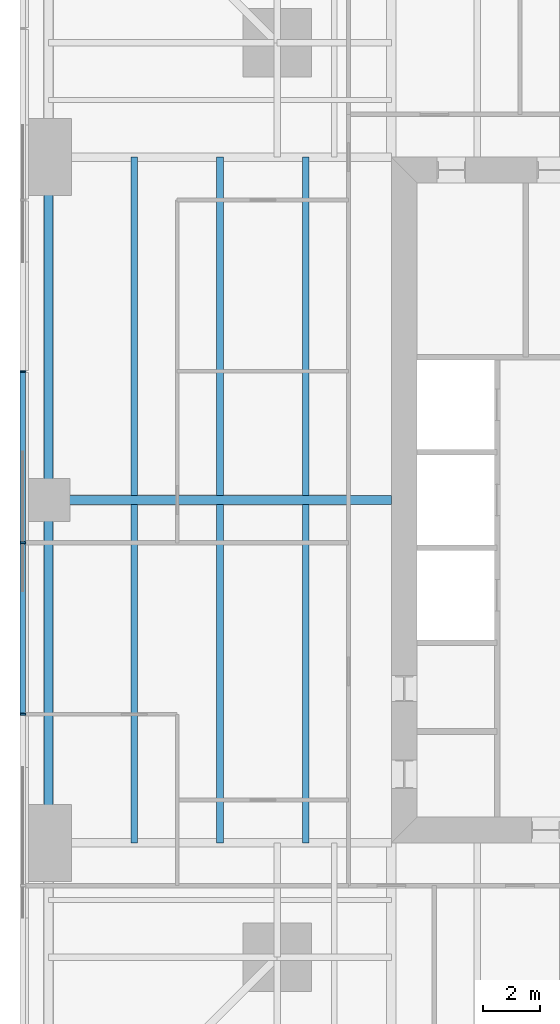
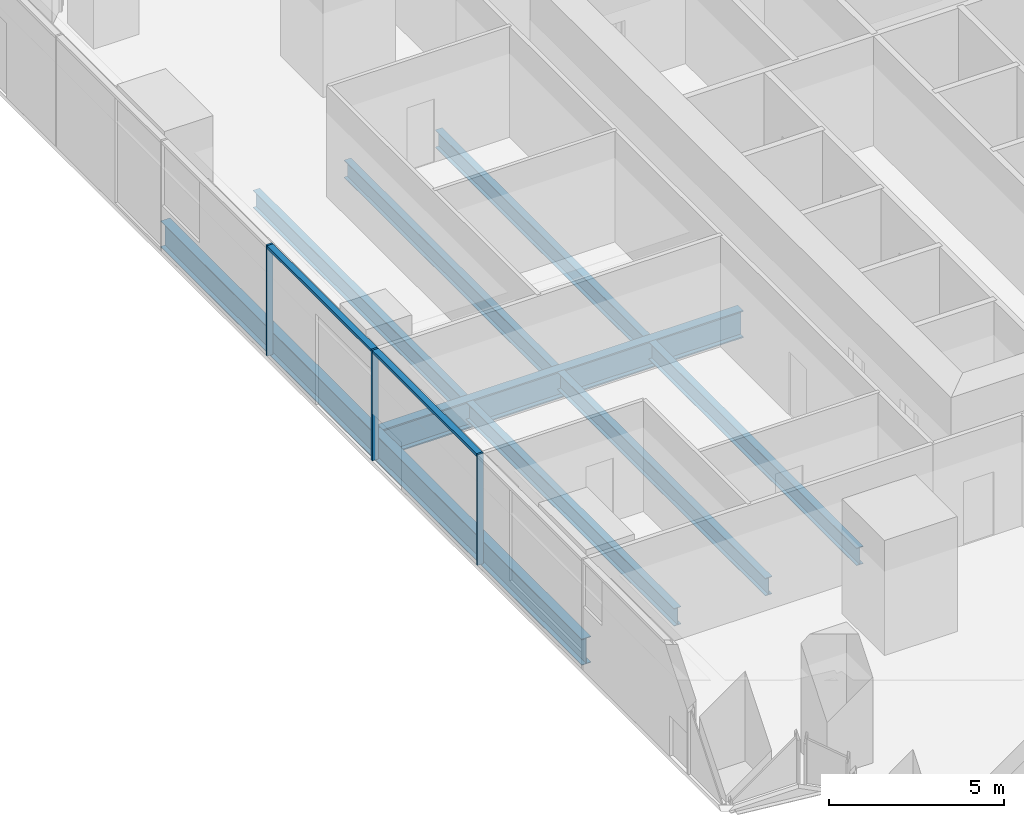
# One storey, part 4 of 14: 9 beams, 5 members, 1 element without a shape of its own.
"""IFC4 building model written with IfcOpenShell, lengths in metres."""

import ifcopenshell
import ifcopenshell.guid

model = None  # the IFC model being written
_history = None  # IfcOwnerHistory: only IFC2X3 demands one
_inside = {}  # id of a spatial element -> (the spatial element, [elements in it])
_under = {}  # id of a project, library or spatial element -> (it, [spatial elements below it])
_declared = {}  # id of a project -> (the project, [libraries it declares])
_typed = {}  # id of a type object -> (the type object, [elements of that type])
_made_of = {}  # id of a material, layer set ... -> (it, [elements and type objects made of it])


def new_model(schema):
    """Start an empty IFC model of exactly this schema.

    Asked for "IFC4X3", IfcOpenShell would pick the latest addendum, in which some entities
    have other attributes; the version numbers below select the first issue.
    IFC2X3 requires an IfcOwnerHistory on every rooted entity: one is made here for all.
    """
    global model, _history
    if schema == "IFC4X3":
        model = ifcopenshell.file(schema_version=(4, 3, 0, 0))
    else:
        model = ifcopenshell.file(schema=schema)
    _inside.clear()
    _under.clear()
    _declared.clear()
    _typed.clear()
    _made_of.clear()
    _history = None
    if model.schema == "IFC2X3":
        org = make("IfcOrganization", Name="unknown")
        user = make(
            "IfcPersonAndOrganization",
            ThePerson=make("IfcPerson", FamilyName="unknown"),
            TheOrganization=org,
        )
        app = make(
            "IfcApplication",
            ApplicationDeveloper=org,
            Version="unknown",
            ApplicationFullName="unknown",
            ApplicationIdentifier="unknown",
        )
        _history = make(
            "IfcOwnerHistory",
            OwningUser=user,
            OwningApplication=app,
            ChangeAction="ADDED",
            CreationDate=0,
        )
    return model


def make(cls, **values):
    """One entity of the class cls with the attributes given. An attribute that is None is left unset."""
    return model.create_entity(
        cls, **{name: value for name, value in values.items() if value is not None}
    )


def rooted(cls, **values):
    """An entity with a GlobalId (a new one), such as an element, a storey or a relation."""
    return make(cls, GlobalId=ifcopenshell.guid.new(), OwnerHistory=_history, **values)


def si_unit(unit_type, name, prefix=None):
    """IfcSIUnit, for example si_unit("LENGTHUNIT", "METRE", prefix="MILLI")."""
    return make("IfcSIUnit", UnitType=unit_type, Prefix=prefix, Name=name)


def assignment(units):
    """IfcUnitAssignment: the units of a project."""
    return None if units is None else make("IfcUnitAssignment", Units=units)


def point(xyz):
    """IfcCartesianPoint."""
    return None if xyz is None else make("IfcCartesianPoint", Coordinates=xyz)


def direction(xyz):
    """IfcDirection."""
    return None if xyz is None else make("IfcDirection", DirectionRatios=xyz)


def frame(location, z_axis=None, x_axis=None):
    """IfcAxis2Placement3D, a coordinate frame: its origin and axes. An axis left out is left unset."""
    return make(
        "IfcAxis2Placement3D",
        Location=point(location),
        Axis=direction(z_axis),
        RefDirection=direction(x_axis),
    )


def frame_2d(location, x_axis=None):
    """IfcAxis2Placement2D, a coordinate frame in the plane: its origin and x axis."""
    return make(
        "IfcAxis2Placement2D", Location=point(location), RefDirection=direction(x_axis)
    )


def origin():
    """The frame at (0, 0, 0) with its axes left unset."""
    return frame((0.0, 0.0, 0.0))


def origin_2d():
    """The frame at (0, 0) in the plane with its x axis left unset."""
    return frame_2d((0.0, 0.0))


def place(relative_to, where):
    """IfcLocalPlacement: puts the frame where relative to a parent placement (None: the world)."""
    return make(
        "IfcLocalPlacement", PlacementRelTo=relative_to, RelativePlacement=where
    )


def context(
    kind, dimensions, precision=None, world=None, true_north=None, identifier=None
):
    """IfcGeometricRepresentationContext, for example the 3D "Model" context."""
    return make(
        "IfcGeometricRepresentationContext",
        ContextIdentifier=identifier,
        ContextType=kind,
        CoordinateSpaceDimension=dimensions,
        Precision=precision,
        WorldCoordinateSystem=world,
        TrueNorth=true_north,
    )


def subcontext(parent, identifier, kind, view, scale=None):
    """IfcGeometricRepresentationSubContext, for example "Body" below "Model"."""
    return make(
        "IfcGeometricRepresentationSubContext",
        ContextIdentifier=identifier,
        ContextType=kind,
        ParentContext=parent,
        TargetScale=scale,
        TargetView=view,
    )


def project(units=None, contexts=None):
    """IfcProject with its units and contexts."""
    return rooted(
        "IfcProject",
        Name="project",
        RepresentationContexts=contexts,
        UnitsInContext=assignment(units),
    )


def spatial(cls, under=None, at=None, **own):
    """A site, building, storey or space (cls), placed at a placement, below another one or the project."""
    s = rooted(cls, ObjectPlacement=at, **own)
    if under is not None:
        _under.setdefault(under.id(), (under, []))[1].append(s)
    return s


def profile(cls, at=None, kind="AREA", **sizes):
    """A parametric profile (cls). Its sizes go by their IFC names, for example OverallWidth=200.0."""
    return make(cls, ProfileType=kind, Position=at, **sizes)


def rectangle(**sizes):
    """IfcRectangleProfileDef."""
    return profile("IfcRectangleProfileDef", **sizes)


def i_section(**sizes):
    """IfcIShapeProfileDef."""
    return profile("IfcIShapeProfileDef", **sizes)


def extrude(swept, where, along, depth):
    """IfcExtrudedAreaSolid: the profile swept, set in the frame where, extruded along a direction by depth."""
    return make(
        "IfcExtrudedAreaSolid",
        SweptArea=swept,
        Position=where,
        ExtrudedDirection=direction(along),
        Depth=depth,
    )


def shape(context_of_items, identifier, shape_type, items):
    """IfcShapeRepresentation: the items that make up one representation, for example the "Body"."""
    return make(
        "IfcShapeRepresentation",
        ContextOfItems=context_of_items,
        RepresentationIdentifier=identifier,
        RepresentationType=shape_type,
        Items=items,
    )


def material(Name=None, Category=None):
    """IfcMaterial."""
    return make("IfcMaterial", Name=Name, Category=Category)


def material_profile(
    of_material, cross_section, Name=None, Category=None, Priority=None
):
    """IfcMaterialProfile: a cross section and its material."""
    return make(
        "IfcMaterialProfile",
        Name=Name,
        Material=of_material,
        Profile=cross_section,
        Priority=Priority,
        Category=Category,
    )


def profile_set(profiles, Name=None, composite=None):
    """IfcMaterialProfileSet."""
    return make(
        "IfcMaterialProfileSet",
        Name=Name,
        MaterialProfiles=profiles,
        CompositeProfile=composite,
    )


def made_of(thing, what):
    """Note that an element or type object is made of a material, layer set ...; save() writes the relation."""
    if what is not None:
        _made_of.setdefault(what.id(), (what, []))[1].append(thing)
    return thing


def type_object(cls, material=None, **own):
    """A type object (cls), such as IfcWallType, which elements share."""
    return made_of(rooted(cls, **own), material)


def element(
    cls,
    number,
    at=None,
    inside=None,
    cuts=None,
    type_object=None,
    material=None,
    context=None,
    identifier="Body",
    shape_type=None,
    held_by="IfcProductDefinitionShape",
    body=None,
    shapes=None,
    **own,
):
    """One element of the class cls, such as IfcWall. Its Tag is "e" and its number.

    at: its placement. inside: the storey or other place that contains it. cuts: it is an
    opening in that element (IfcRelVoidsElement). A single representation is given by context,
    identifier, shape_type and body (its items); several are given by shapes. held_by: the class
    of the entity that holds the representations. save() writes the other relations.
    """
    e = rooted(cls, Tag="e%d" % number, ObjectPlacement=at, **own)
    if body is not None:
        shapes = [shape(context, identifier, shape_type, body)]
    if shapes is not None:
        e.Representation = make(held_by, Representations=shapes)
    if inside is not None:
        _inside.setdefault(inside.id(), (inside, []))[1].append(e)
    if cuts is not None:
        rooted(
            "IfcRelVoidsElement", RelatingBuildingElement=cuts, RelatedOpeningElement=e
        )
    if type_object is not None:
        _typed.setdefault(type_object.id(), (type_object, []))[1].append(e)
    return made_of(e, material)


def aggregate(whole, parts):
    """IfcRelAggregates: a whole, such as a stair, and the parts it consists of."""
    return rooted("IfcRelAggregates", RelatingObject=whole, RelatedObjects=parts)


def save(model, path):
    """Write the relations noted so far, then the file.

    IfcRelAggregates (storeys below a building ...), IfcRelContainedInSpatialStructure (elements
    in a storey), IfcRelDefinesByType, IfcRelAssociatesMaterial and IfcRelDeclares: one each for
    every whole, place, type object, material and project.
    """
    for whole, parts in _under.values():
        aggregate(whole, parts)
    for where, things in _inside.values():
        rooted(
            "IfcRelContainedInSpatialStructure",
            RelatedElements=things,
            RelatingStructure=where,
        )
    for kind, things in _typed.values():
        rooted("IfcRelDefinesByType", RelatedObjects=things, RelatingType=kind)
    for what, things in _made_of.values():
        rooted("IfcRelAssociatesMaterial", RelatedObjects=things, RelatingMaterial=what)
    for by, libraries in _declared.values():
        rooted("IfcRelDeclares", RelatingContext=by, RelatedDefinitions=libraries)
    model.write(path)


model = new_model("IFC4")

# Units and contexts
model_context = context("Model", 3, precision=1e-05, world=origin(), true_north=direction((0.0, 1.0)))
body_context = subcontext(model_context, "Body", "Model", "MODEL_VIEW")
ifc_project = project(units=[si_unit("LENGTHUNIT", "METRE"), si_unit("AREAUNIT", "SQUARE_METRE"), si_unit("VOLUMEUNIT", "CUBIC_METRE"), si_unit("PLANEANGLEUNIT", "RADIAN"), si_unit("MASSUNIT", "GRAM", prefix="KILO")], contexts=[model_context])

# Site, building, storey
site_placement = place(None, origin())
site = spatial("IfcSite", under=ifc_project, at=site_placement, CompositionType="ELEMENT")
building_placement = place(site_placement, origin())
building = spatial("IfcBuilding", under=site, at=building_placement, Name="Fenwick Lantern Interchange", CompositionType="ELEMENT")
storey_placement = place(building_placement, frame((0.0, 0.0, 59.0)))
storey = spatial("IfcBuildingStorey", under=building, at=storey_placement, Name="L13", CompositionType="ELEMENT", Elevation=59.0)

# Beams
ifc_material_1 = material(Name="Steel ASTM A992 Grade 50", Category="steel")
ifc_material_profile_1 = material_profile(ifc_material_1, i_section(OverallWidth=0.3046875, OverallDepth=0.911865234375, WebThickness=0.015869140625, FlangeThickness=0.02392578125, at=origin_2d()), Name="W36X150")
ifc_profile_set_1 = profile_set([ifc_material_profile_1], Name="Steel ASTM A992 Grade 50")
beam_type_1 = type_object("IfcBeamType", Name="EDGE BEAM W36X150", PredefinedType="SPANDREL", material=ifc_profile_set_1)
for number, where, z_axis, x_axis, name in (
    (1, (1.0, 37.0, -0.60595703125), (0.0, -1.0, 0.0), (1.0, 0.0, 0.0), "L13/FR/W/EB2"),
    (2, (1.0, 25.0, -0.60595703125), (0.0, -1.0, 0.0), (1.0, 0.0, 0.0), "L13/FR/W/EB3"),
):
    element("IfcBeam", number, at=place(storey_placement, frame(where, z_axis=z_axis, x_axis=x_axis)), inside=storey, type_object=beam_type_1, Name=name, PredefinedType="SPANDREL", context=body_context, shape_type="SweptSolid", body=[
        extrude(i_section(OverallWidth=0.3046875, OverallDepth=0.911865234375, WebThickness=0.015869140625, FlangeThickness=0.02392578125, at=origin_2d()), origin(), (0.0, 0.0, 1.0), 12.0),
    ])
ifc_material_profile_2 = material_profile(ifc_material_1, i_section(OverallWidth=0.22900390625, OverallDepth=0.612060546875, WebThickness=0.011962890625, FlangeThickness=0.01953125, at=origin_2d()), Name="W24X84")
ifc_profile_set_2 = profile_set([ifc_material_profile_2], Name="Steel ASTM A992 Grade 50")
beam_type_2 = type_object("IfcBeamType", Name="FLOOR BEAM W24X84", PredefinedType="BEAM", material=ifc_profile_set_2)
for number, where, z_axis, x_axis, name in (
    (3, (4.0, 37.0, -0.4560546875), (0.0, -1.0, 0.0), (1.0, 0.0, 0.0), "L13/FR/W/B01"),
    (4, (7.0, 37.0, -0.4560546875), (0.0, -1.0, 0.0), (1.0, 0.0, 0.0), "L13/FR/W/B02"),
    (5, (10.0, 37.0, -0.4560546875), (0.0, -1.0, 0.0), (1.0, 0.0, 0.0), "L13/FR/W/B03"),
    (6, (4.0, 24.844970703125, -0.4560546875), (0.0, -1.0, 0.0), (1.0, 0.0, 0.0), "L13/FR/W/B04"),
    (7, (7.0, 24.844970703125, -0.4560546875), (0.0, -1.0, 0.0), (1.0, 0.0, 0.0), "L13/FR/W/B05"),
    (8, (10.0, 24.844970703125, -0.4560546875), (0.0, -1.0, 0.0), (1.0, 0.0, 0.0), "L13/FR/W/B06"),
):
    element("IfcBeam", number, at=place(storey_placement, frame(where, z_axis=z_axis, x_axis=x_axis)), inside=storey, type_object=beam_type_2, Name=name, PredefinedType="BEAM", context=body_context, shape_type="SweptSolid", body=[
        extrude(i_section(OverallWidth=0.22900390625, OverallDepth=0.612060546875, WebThickness=0.011962890625, FlangeThickness=0.01953125, at=origin_2d()), origin(), (0.0, 0.0, 1.0), 11.844970703125),
    ])
ifc_material_profile_3 = material_profile(ifc_material_1, i_section(OverallWidth=0.309814453125, OverallDepth=0.949951171875, WebThickness=0.0244140625, FlangeThickness=0.0439453125, at=origin_2d()), Name="W36X256")
ifc_profile_set_3 = profile_set([ifc_material_profile_3], Name="Steel ASTM A992 Grade 50")
beam_type_3 = type_object("IfcBeamType", Name="MOMENT-CONNECTED GIRDER W36X256", PredefinedType="BEAM", material=ifc_profile_set_3)
beam_placement = place(storey_placement, frame((1.0, 25.0, -0.625), z_axis=(1.0, 0.0, 0.0), x_axis=(0.0, 1.0, 0.0)))
element("IfcBeam", 9, at=beam_placement, inside=storey, type_object=beam_type_3, Name="L13/FR/W/R02", PredefinedType="BEAM", context=body_context, shape_type="SweptSolid", body=[
    extrude(i_section(OverallWidth=0.309814453125, OverallDepth=0.949951171875, WebThickness=0.0244140625, FlangeThickness=0.0439453125, at=origin_2d()), origin(), (0.0, 0.0, 1.0), 12.0),
])

# Curtain wall, members
ifc_material_2 = material(Name="Aluminium curtain wall frame", Category="aluminium")
curtain_wall_type = type_object("IfcCurtainWallType", Name="OFFICE CURTAIN WALL", PredefinedType="USERDEFINED", material=ifc_material_2)
curtain_wall_placement = place(storey_placement, origin())
curtain_wall = element("IfcCurtainWall", 10, at=curtain_wall_placement, inside=storey, type_object=curtain_wall_type, Name="Office curtain wall 13", ObjectType="OFFICE CURTAIN WALL", PredefinedType="USERDEFINED")
ifc_material_3 = material(Name="Aluminium extrusion", Category="aluminium")
ifc_material_profile_4 = material_profile(ifc_material_3, rectangle(XDim=0.199951171875, YDim=0.06494140625, at=origin_2d()), Name="OFFICE CURTAIN WALL MULLION 65 X 200")
ifc_profile_set_4 = profile_set([ifc_material_profile_4], Name="Aluminium extrusion")
member_type_1 = type_object("IfcMemberType", Name="OFFICE CURTAIN WALL MULLION 65 X 200", PredefinedType="MULLION", material=ifc_profile_set_4)
member_1_placement = place(storey_placement, frame((0.10009765625, 29.5, 0.0), z_axis=(0.0, 0.0, 1.0), x_axis=(1.0, 0.0, 0.0)))
member_1 = element("IfcMember", 11, at=member_1_placement, type_object=member_type_1, Name="L13/CW/13/M03", PredefinedType="MULLION", context=body_context, shape_type="SweptSolid", body=[
    extrude(rectangle(XDim=0.199951171875, YDim=0.06494140625, at=origin_2d()), origin(), (0.0, 0.0, 1.0), 3.85009765625),
])
member_2_placement = place(storey_placement, frame((0.10009765625, 23.5, 0.0), z_axis=(0.0, 0.0, 1.0), x_axis=(1.0, 0.0, 0.0)))
member_2 = element("IfcMember", 12, at=member_2_placement, type_object=member_type_1, Name="L13/CW/13/M04", PredefinedType="MULLION", context=body_context, shape_type="SweptSolid", body=[
    extrude(rectangle(XDim=0.199951171875, YDim=0.06494140625, at=origin_2d()), origin(), (0.0, 0.0, 1.0), 3.85009765625),
])
member_3_placement = place(storey_placement, frame((0.10009765625, 17.5, 0.0), z_axis=(0.0, 0.0, 1.0), x_axis=(1.0, 0.0, 0.0)))
member_3 = element("IfcMember", 13, at=member_3_placement, type_object=member_type_1, Name="L13/CW/13/M05", PredefinedType="MULLION", context=body_context, shape_type="SweptSolid", body=[
    extrude(rectangle(XDim=0.199951171875, YDim=0.06494140625, at=origin_2d()), origin(), (0.0, 0.0, 1.0), 3.85009765625),
])
ifc_material_profile_5 = material_profile(ifc_material_3, rectangle(XDim=0.199951171875, YDim=0.10009765625, at=origin_2d()), Name="OFFICE CURTAIN WALL TRANSOM 100 X 200")
ifc_profile_set_5 = profile_set([ifc_material_profile_5], Name="Aluminium extrusion")
member_type_2 = type_object("IfcMemberType", Name="OFFICE CURTAIN WALL TRANSOM 100 X 200", PredefinedType="MULLION", material=ifc_profile_set_5)
member_4_placement = place(storey_placement, frame((0.10009765625, 29.467529296875, 3.800048828125), z_axis=(0.0, -1.0, 0.0), x_axis=(1.0, 0.0, 0.0)))
member_4 = element("IfcMember", 14, at=member_4_placement, type_object=member_type_2, Name="L13/CW/13/T03", PredefinedType="MULLION", context=body_context, shape_type="SweptSolid", body=[
    extrude(rectangle(XDim=0.199951171875, YDim=0.10009765625, at=origin_2d()), origin(), (0.0, 0.0, 1.0), 5.93505859375),
])
member_5_placement = place(storey_placement, frame((0.10009765625, 23.467529296875, 3.800048828125), z_axis=(0.0, -1.0, 0.0), x_axis=(1.0, 0.0, 0.0)))
member_5 = element("IfcMember", 15, at=member_5_placement, type_object=member_type_2, Name="L13/CW/13/T04", PredefinedType="MULLION", context=body_context, shape_type="SweptSolid", body=[
    extrude(rectangle(XDim=0.199951171875, YDim=0.10009765625, at=origin_2d()), origin(), (0.0, 0.0, 1.0), 5.93505859375),
])
aggregate(curtain_wall, [member_1, member_2, member_3, member_4, member_5])

save(model, "model.ifc")
